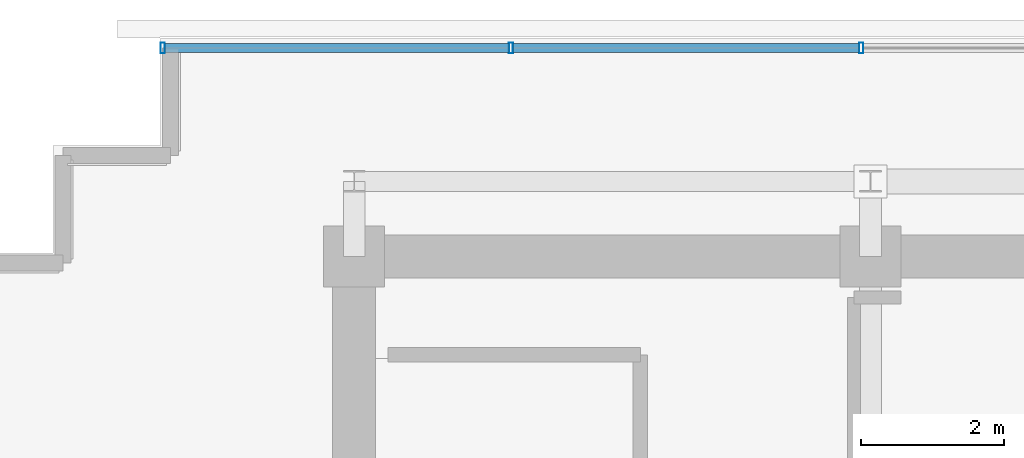
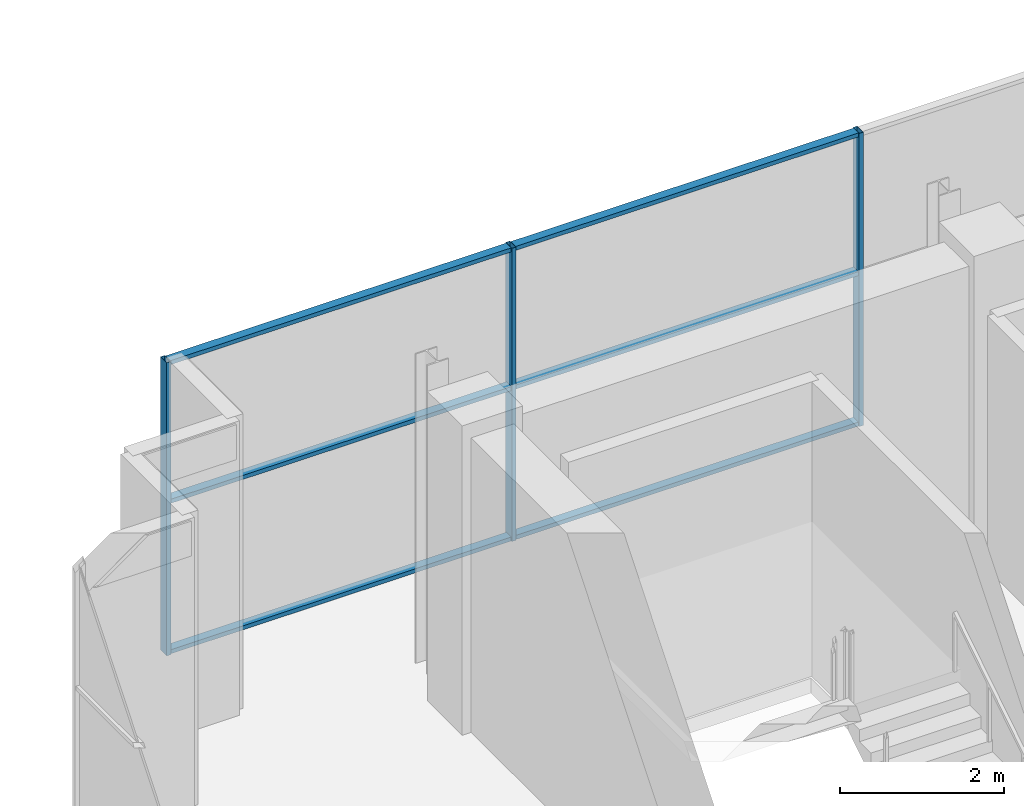
# One storey, part 19 of 28: 9 members, 1 element without a shape of its own.
"""IFC4 building model written with IfcOpenShell, lengths in metres."""

from ifc_helpers import new_model, si_unit, direction, frame, origin, origin_2d, place, context, subcontext, project, spatial, hollow_rectangle, extrude, source, transform, mapped, material, layer, layer_set, material_profile, profile_set, type_object, element, aggregate, save


model = new_model("IFC4")

# Units and contexts
model_context = context("Model", 3, precision=1e-05, world=origin(), true_north=direction((0.0, 1.0)))
body_context = subcontext(model_context, "Body", "Model", "MODEL_VIEW")
ifc_project = project(units=[si_unit("LENGTHUNIT", "METRE"), si_unit("AREAUNIT", "SQUARE_METRE"), si_unit("VOLUMEUNIT", "CUBIC_METRE"), si_unit("PLANEANGLEUNIT", "RADIAN"), si_unit("MASSUNIT", "GRAM", prefix="KILO")], contexts=[model_context])

# Site, building, storey
site_placement = place(None, origin())
site = spatial("IfcSite", under=ifc_project, at=site_placement, CompositionType="ELEMENT")
building_placement = place(site_placement, origin())
building = spatial("IfcBuilding", under=site, at=building_placement, Name="Zarnakvel Exchange Tower", CompositionType="ELEMENT")
storey_placement = place(building_placement, frame((0.0, 0.0, 276.199951171875)))
storey = spatial("IfcBuildingStorey", under=building, at=storey_placement, Name="Crown L78", CompositionType="ELEMENT", Elevation=276.199951171875)

# Curtain wall, members
ifc_material = material(Name="Architectural Bronze Anodised Aluminium", Category="aluminium")
ifc_layer = layer(ifc_material, 0.14990234375)
ifc_layer_set = layer_set([ifc_layer], Name="Architectural Bronze Anodised Aluminium")
curtain_wall_type = type_object("IfcCurtainWallType", Name="CW-07", PredefinedType="NOTDEFINED", material=ifc_layer_set)
curtain_wall_placement = place(storey_placement, origin())
curtain_wall = element("IfcCurtainWall", 1, at=curtain_wall_placement, inside=storey, type_object=curtain_wall_type, Name="Crown L78 Curtain Wall CW-Crown L78-N (CW-07)", PredefinedType="NOTDEFINED")
ifc_material_profile_1 = material_profile(ifc_material, hollow_rectangle(XDim=0.14990234375, YDim=0.06005859375, WallThickness=0.00390625, at=origin_2d()))
ifc_profile_set_1 = profile_set([ifc_material_profile_1], Name="Architectural Bronze Anodised Aluminium")
member_type_1 = type_object("IfcMemberType", Name="CWM-07", PredefinedType="MULLION", material=ifc_profile_set_1)
shared_shape_1 = source(origin(), body_context, "Body", "SweptSolid", [
    extrude(hollow_rectangle(XDim=0.14990234375, YDim=0.06005859375, WallThickness=0.00390625, at=origin_2d()), origin(), (0.0, 0.0, 1.0), 4.360107421875),
])
member_1_placement = place(storey_placement, frame((-17.070068359375, 16.409912109375, 0.0), z_axis=(0.0, 0.0, 1.0), x_axis=(0.0, 1.0, 0.0)))
member_1 = element("IfcMember", 2, at=member_1_placement, type_object=member_type_1, Name="CW-07 mullion 1", PredefinedType="MULLION", context=body_context, shape_type="MappedRepresentation", body=[
    mapped(shared_shape_1, transform((0.0, 0.0, 0.0), x_axis=(1.0, 0.0, 0.0), y_axis=(0.0, 1.0, 0.0), z_axis=(0.0, 0.0, 1.0), scale=1.0)),
])
member_2_placement = place(storey_placement, frame((-12.21435546875, 16.409912109375, 0.0), z_axis=(0.0, 0.0, 1.0), x_axis=(0.0, 1.0, 0.0)))
member_2 = element("IfcMember", 3, at=member_2_placement, type_object=member_type_1, Name="CW-07 mullion 2", PredefinedType="MULLION", context=body_context, shape_type="MappedRepresentation", body=[
    mapped(shared_shape_1, transform((0.0, 0.0, 0.0), x_axis=(1.0, 0.0, 0.0), y_axis=(0.0, 1.0, 0.0), z_axis=(0.0, 0.0, 1.0), scale=1.0)),
])
member_3_placement = place(storey_placement, frame((-7.32861328125, 16.409912109375, 0.0), z_axis=(0.0, 0.0, 1.0), x_axis=(0.0, 1.0, 0.0)))
member_3 = element("IfcMember", 4, at=member_3_placement, type_object=member_type_1, Name="CW-07 mullion 3", PredefinedType="MULLION", context=body_context, shape_type="MappedRepresentation", body=[
    mapped(shared_shape_1, transform((0.0, 0.0, 0.0), x_axis=(1.0, 0.0, 0.0), y_axis=(0.0, 1.0, 0.0), z_axis=(0.0, 0.0, 1.0), scale=1.0)),
])
ifc_material_profile_2 = material_profile(ifc_material, hollow_rectangle(XDim=0.1201171875, YDim=0.06005859375, WallThickness=0.00390625, at=origin_2d()))
ifc_profile_set_2 = profile_set([ifc_material_profile_2], Name="Architectural Bronze Anodised Aluminium")
member_type_2 = type_object("IfcMemberType", Name="CWT-07", PredefinedType="USERDEFINED", material=ifc_profile_set_2)
shared_shape_2 = source(origin(), body_context, "Body", "SweptSolid", [
    extrude(hollow_rectangle(XDim=0.1201171875, YDim=0.06005859375, WallThickness=0.00390625, at=origin_2d()), origin(), (0.0, 0.0, 1.0), 4.795654296875),
])
member_4_placement = place(storey_placement, frame((-17.0400390625, 16.409912109375, 0.030029296875), z_axis=(1.0, 0.0, 0.0), x_axis=(0.0, 1.0, 0.0)))
member_4 = element("IfcMember", 5, at=member_4_placement, type_object=member_type_2, Name="CW-07 transom 1.1", ObjectType="TRANSOM", PredefinedType="USERDEFINED", context=body_context, shape_type="MappedRepresentation", body=[
    mapped(shared_shape_2, transform((0.0, 0.0, 0.0), x_axis=(1.0, 0.0, 0.0), y_axis=(0.0, 1.0, 0.0), z_axis=(0.0, 0.0, 1.0), scale=1.0)),
])
member_5_placement = place(storey_placement, frame((-17.0400390625, 16.409912109375, 2.267333984375), z_axis=(1.0, 0.0, 0.0), x_axis=(0.0, 1.0, 0.0)))
member_5 = element("IfcMember", 6, at=member_5_placement, type_object=member_type_2, Name="CW-07 transom 1.2", ObjectType="TRANSOM", PredefinedType="USERDEFINED", context=body_context, shape_type="MappedRepresentation", body=[
    mapped(shared_shape_2, transform((0.0, 0.0, 0.0), x_axis=(1.0, 0.0, 0.0), y_axis=(0.0, 1.0, 0.0), z_axis=(0.0, 0.0, 1.0), scale=1.0)),
])
member_6_placement = place(storey_placement, frame((-17.0400390625, 16.409912109375, 4.330078125), z_axis=(1.0, 0.0, 0.0), x_axis=(0.0, 1.0, 0.0)))
member_6 = element("IfcMember", 7, at=member_6_placement, type_object=member_type_2, Name="CW-07 transom 1.3", ObjectType="TRANSOM", PredefinedType="USERDEFINED", context=body_context, shape_type="MappedRepresentation", body=[
    mapped(shared_shape_2, transform((0.0, 0.0, 0.0), x_axis=(1.0, 0.0, 0.0), y_axis=(0.0, 1.0, 0.0), z_axis=(0.0, 0.0, 1.0), scale=1.0)),
])
shared_shape_3 = source(origin(), body_context, "Body", "SweptSolid", [
    extrude(hollow_rectangle(XDim=0.1201171875, YDim=0.06005859375, WallThickness=0.00390625, at=origin_2d()), origin(), (0.0, 0.0, 1.0), 4.82568359375),
])
member_7_placement = place(storey_placement, frame((-12.184326171875, 16.409912109375, 0.030029296875), z_axis=(1.0, 0.0, 0.0), x_axis=(0.0, 1.0, 0.0)))
member_7 = element("IfcMember", 8, at=member_7_placement, type_object=member_type_2, Name="CW-07 transom 2.1", ObjectType="TRANSOM", PredefinedType="USERDEFINED", context=body_context, shape_type="MappedRepresentation", body=[
    mapped(shared_shape_3, transform((0.0, 0.0, 0.0), x_axis=(1.0, 0.0, 0.0), y_axis=(0.0, 1.0, 0.0), z_axis=(0.0, 0.0, 1.0), scale=1.0)),
])
member_8_placement = place(storey_placement, frame((-12.184326171875, 16.409912109375, 2.267333984375), z_axis=(1.0, 0.0, 0.0), x_axis=(0.0, 1.0, 0.0)))
member_8 = element("IfcMember", 9, at=member_8_placement, type_object=member_type_2, Name="CW-07 transom 2.2", ObjectType="TRANSOM", PredefinedType="USERDEFINED", context=body_context, shape_type="MappedRepresentation", body=[
    mapped(shared_shape_3, transform((0.0, 0.0, 0.0), x_axis=(1.0, 0.0, 0.0), y_axis=(0.0, 1.0, 0.0), z_axis=(0.0, 0.0, 1.0), scale=1.0)),
])
member_9_placement = place(storey_placement, frame((-12.184326171875, 16.409912109375, 4.330078125), z_axis=(1.0, 0.0, 0.0), x_axis=(0.0, 1.0, 0.0)))
member_9 = element("IfcMember", 10, at=member_9_placement, type_object=member_type_2, Name="CW-07 transom 2.3", ObjectType="TRANSOM", PredefinedType="USERDEFINED", context=body_context, shape_type="MappedRepresentation", body=[
    mapped(shared_shape_3, transform((0.0, 0.0, 0.0), x_axis=(1.0, 0.0, 0.0), y_axis=(0.0, 1.0, 0.0), z_axis=(0.0, 0.0, 1.0), scale=1.0)),
])
aggregate(curtain_wall, [member_1, member_2, member_3, member_4, member_5, member_6, member_7, member_8, member_9])

save(model, "model.ifc")
